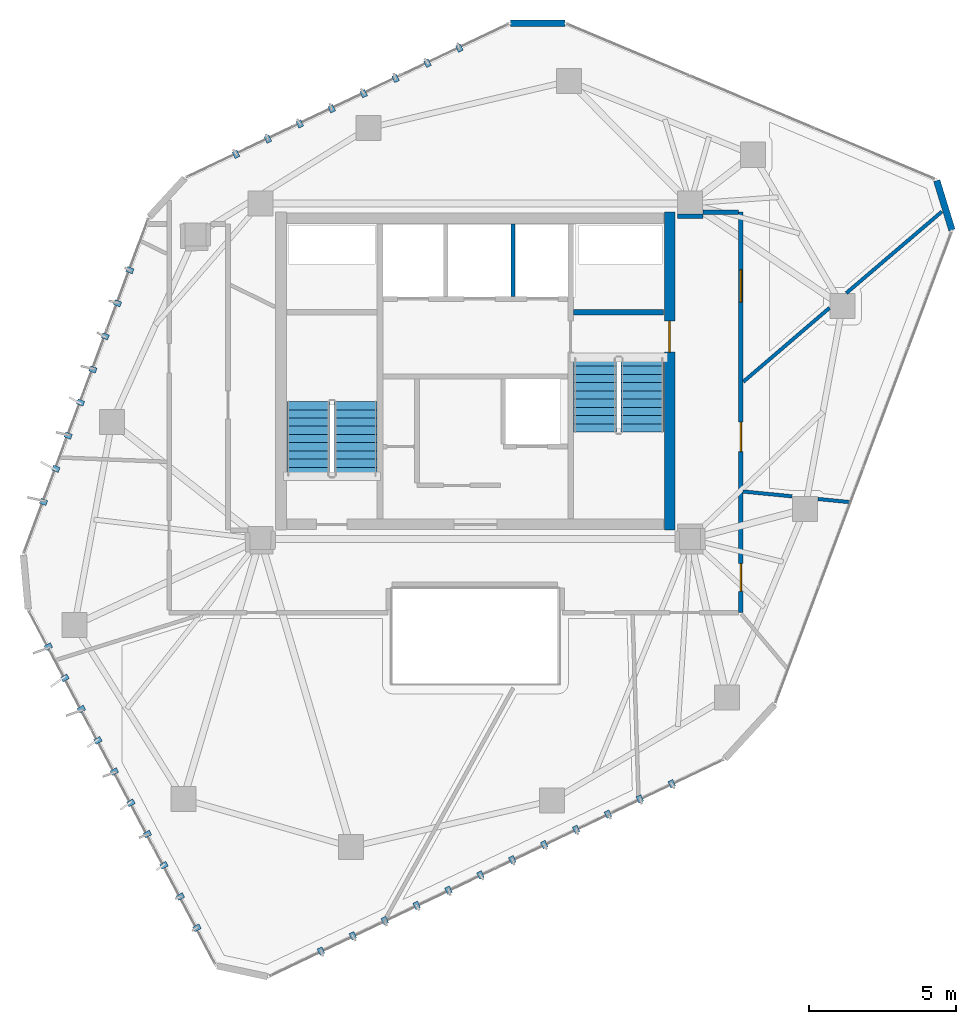
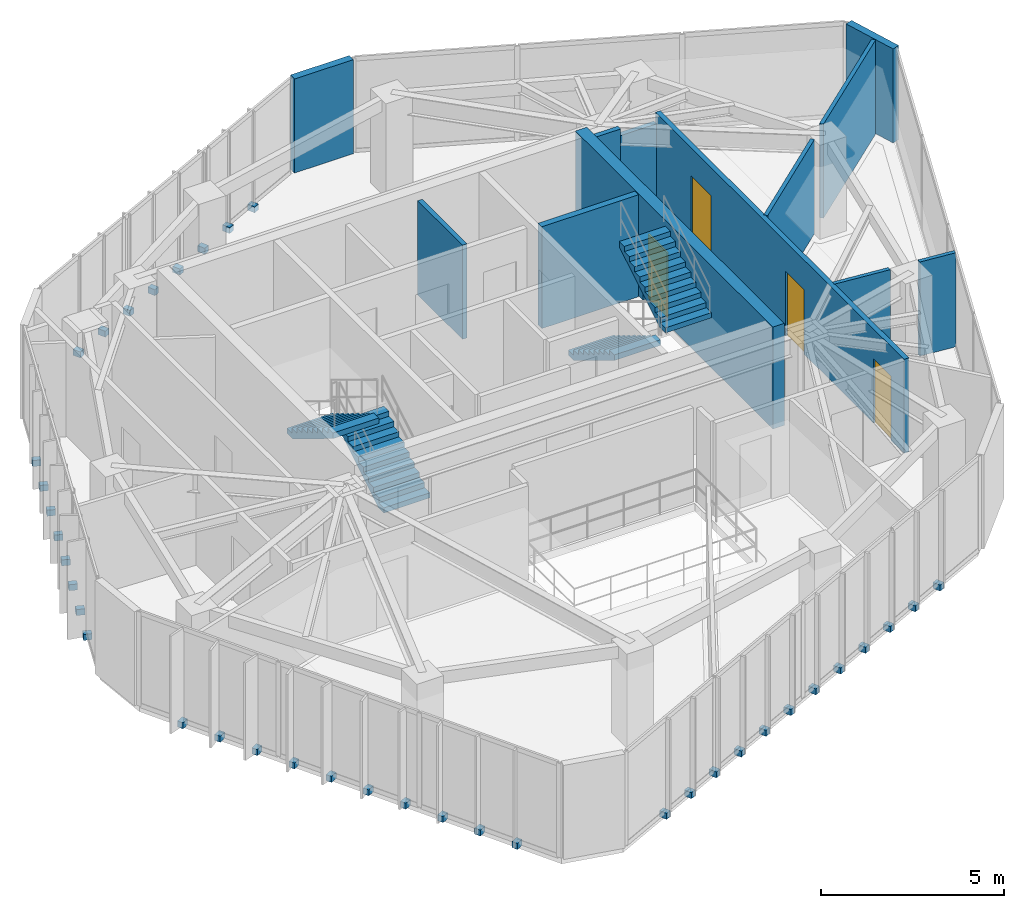
# One storey, part 18 of 20: 38 discrete accessories, 12 walls, 4 doors, 4 stair flights, 4 openings, 2 elements without a shape of their own.
"""IFC4 building model written with IfcOpenShell, lengths in metres."""

from ifc_helpers import new_model, si_unit, direction, frame, frame_2d, origin, origin_2d, place, context, subcontext, project, spatial, polyline, rectangle, outline, extrude, source, transform, mapped, material, layer, layer_set, type_object, type_shapes, element, fill, aggregate, save


model = new_model("IFC4")

# Units and contexts
model_context = context("Model", 3, precision=1e-05, world=origin(), true_north=direction((0.0, 1.0)))
body_context = subcontext(model_context, "Body", "Model", "MODEL_VIEW")
ifc_project = project(units=[si_unit("LENGTHUNIT", "METRE"), si_unit("AREAUNIT", "SQUARE_METRE"), si_unit("VOLUMEUNIT", "CUBIC_METRE"), si_unit("PLANEANGLEUNIT", "RADIAN"), si_unit("MASSUNIT", "GRAM", prefix="KILO")], contexts=[model_context])

# Site, building, storey
site_placement = place(None, origin())
site = spatial("IfcSite", under=ifc_project, at=site_placement, CompositionType="ELEMENT")
building_placement = place(site_placement, origin())
building = spatial("IfcBuilding", under=site, at=building_placement, Name="Talar Marvaseh", CompositionType="ELEMENT")
storey_placement = place(building_placement, frame((0.0, 0.0, 268.0)))
storey = spatial("IfcBuildingStorey", under=building, at=storey_placement, Name="L71", CompositionType="ELEMENT", Elevation=268.0)

# Walls
ifc_material_1 = material(Name="Precast concrete C45/55", Category="concrete")
ifc_layer_1 = layer(ifc_material_1, 0.22509765625)
ifc_layer_set_1 = layer_set([ifc_layer_1], Name="Precast concrete C45/55")
wall_type_1 = type_object("IfcWallType", Name="Chamfered Hexagonal Corner Pier Wall Z4 225", PredefinedType="SOLIDWALL", material=ifc_layer_set_1)
wall_1_placement = place(storey_placement, frame((27.194580078125, 43.015380859375, 0.0), z_axis=(0.0, 0.0, 1.0), x_axis=(0.999997786272, -0.002104151049, 0.0)))
element("IfcWall", 1, at=wall_1_placement, inside=storey, type_object=wall_type_1, Name="L71 Chamfered Corner Limestone Pier 4", PredefinedType="SOLIDWALL", context=body_context, shape_type="SweptSolid", body=[
    extrude(rectangle(XDim=1.8564453125, YDim=0.22509765625, at=frame_2d((0.92822265625, 0.0))), origin(), (0.0, 0.0, 1.0), 3.139892578125),
])
wall_2_placement = place(storey_placement, frame((41.673583984375, 37.67529296875, 0.0), z_axis=(0.0, 0.0, 1.0), x_axis=(0.293597844572, -0.955929027524, 0.0)))
element("IfcWall", 2, at=wall_2_placement, inside=storey, type_object=wall_type_1, Name="L71 Chamfered Corner Limestone Pier 5", PredefinedType="SOLIDWALL", context=body_context, shape_type="SweptSolid", body=[
    extrude(rectangle(XDim=1.7578125, YDim=0.22509765625, at=frame_2d((0.87890625, 0.0))), origin(), (0.0, 0.0, 1.0), 3.139892578125),
])

# Wall, openings, doors
ifc_material_2 = material(Name="Gypsum Board Partition Assembly")
ifc_layer_2 = layer(ifc_material_2, 0.155029296875)
ifc_layer_set_2 = layer_set([ifc_layer_2], Name="Gypsum Board Partition Assembly")
wall_type_2 = type_object("IfcWallType", Name="Corridor Fire-Rated Acoustic Partition 155", PredefinedType="PARTITIONING", material=ifc_layer_set_2)
wall_3_placement = place(storey_placement, frame((35.02001953125, 36.60009765625, 0.0), z_axis=(0.0, 0.0, 1.0), x_axis=(0.0, -1.0, 0.0)))
wall_3 = element("IfcWall", 3, at=wall_3_placement, inside=storey, type_object=wall_type_2, Name="L71 Interior Partition Wall", PredefinedType="PARTITIONING", context=body_context, shape_type="SweptSolid", body=[
    extrude(rectangle(XDim=13.60009765625, YDim=0.155029296875, at=frame_2d((6.800048828125, 0.0))), origin(), (0.0, 0.0, 1.0), 3.139892578125),
])
opening_1_placement = place(wall_3_placement, frame((11.932373046875, 0.0, 0.0)))
opening_1 = element("IfcOpeningElement", 4, at=opening_1_placement, cuts=wall_3, Name="Opening DR-WC095", PredefinedType="OPENING", context=body_context, shape_type="SweptSolid", body=[
    extrude(rectangle(XDim=0.949951171875, YDim=2.14990234375, at=frame_2d((0.47509765625, 1.074951171875))), frame((0.0, 0.08740234375, 0.0), z_axis=(0.0, -1.0, 0.0), x_axis=(1.0, 0.0, 0.0)), (0.0, 0.0, 1.0), 0.175048828125),
])
opening_2_placement = place(wall_3_placement, frame((7.131591796875, 0.0, 0.0)))
opening_2 = element("IfcOpeningElement", 5, at=opening_2_placement, cuts=wall_3, Name="Opening DR-RM100", PredefinedType="OPENING", context=body_context, shape_type="SweptSolid", body=[
    extrude(rectangle(XDim=1.0, YDim=2.14990234375, at=frame_2d((0.5, 1.074951171875))), frame((0.0, 0.08740234375, 0.0), z_axis=(0.0, -1.0, 0.0), x_axis=(1.0, 0.0, 0.0)), (0.0, 0.0, 1.0), 0.175048828125),
])
opening_3_placement = place(wall_3_placement, frame((1.955810546875, 0.0, 0.0)))
opening_3 = element("IfcOpeningElement", 6, at=opening_3_placement, cuts=wall_3, Name="Opening DR-RM110", PredefinedType="OPENING", context=body_context, shape_type="SweptSolid", body=[
    extrude(rectangle(XDim=1.10009765625, YDim=2.199951171875, at=frame_2d((0.550048828125, 1.10009765625))), frame((0.0, 0.08740234375, 0.0), z_axis=(0.0, -1.0, 0.0), x_axis=(1.0, 0.0, 0.0)), (0.0, 0.0, 1.0), 0.175048828125),
])
ifc_material_3 = material(Name="Acoustic Engineered Oak Timber", Category="wood")
door_type_1 = type_object("IfcDoorType", Name="Washroom and Service Room Door 950x2150", OperationType="NOTDEFINED", PredefinedType="DOOR", material=ifc_material_3)
shared_shape_1 = source(origin(), body_context, "Body", "SweptSolid", [
    extrude(rectangle(XDim=0.949951171875, YDim=2.14990234375, at=frame_2d((0.47509765625, 1.074951171875))), frame((0.0, 0.02490234375, 0.0), z_axis=(0.0, -1.0, 0.0), x_axis=(1.0, 0.0, 0.0)), (0.0, 0.0, 1.0), 0.050048828125),
])
type_shapes(door_type_1, [shared_shape_1])
door_1_placement = place(opening_1_placement, origin())
door_1 = element("IfcDoor", 7, at=door_1_placement, inside=storey, type_object=door_type_1, Name="L71 WC Public Washrooms Door", OperationType="SINGLE_SWING_RIGHT", OverallHeight=2.14990234375, OverallWidth=0.949951171875, PredefinedType="DOOR", context=body_context, shape_type="MappedRepresentation", body=[
    mapped(shared_shape_1, transform((0.0, 0.0, 0.0), x_axis=(1.0, 0.0, 0.0), y_axis=(0.0, 1.0, 0.0), z_axis=(0.0, 0.0, 1.0), scale=1.0)),
])
fill(opening_1, door_1)
door_type_2 = type_object("IfcDoorType", Name="Corridor Fire-Rated Gallery Door 1000x2150", OperationType="NOTDEFINED", PredefinedType="DOOR", material=ifc_material_3)
shared_shape_2 = source(origin(), body_context, "Body", "SweptSolid", [
    extrude(rectangle(XDim=1.0, YDim=2.14990234375, at=frame_2d((0.5, 1.074951171875))), frame((0.0, 0.02490234375, 0.0), z_axis=(0.0, -1.0, 0.0), x_axis=(1.0, 0.0, 0.0)), (0.0, 0.0, 1.0), 0.050048828125),
])
type_shapes(door_type_2, [shared_shape_2])
door_2_placement = place(opening_2_placement, origin())
door_2 = element("IfcDoor", 8, at=door_2_placement, inside=storey, type_object=door_type_2, Name="L71 Archival Facsimile Boutique Door", OperationType="SINGLE_SWING_LEFT", OverallHeight=2.14990234375, OverallWidth=1.0, PredefinedType="DOOR", context=body_context, shape_type="MappedRepresentation", body=[
    mapped(shared_shape_2, transform((0.0, 0.0, 0.0), x_axis=(1.0, 0.0, 0.0), y_axis=(0.0, 1.0, 0.0), z_axis=(0.0, 0.0, 1.0), scale=1.0)),
])
fill(opening_2, door_2)
door_type_3 = type_object("IfcDoorType", Name="Assembly and Reading Hall Door 1100x2200", OperationType="NOTDEFINED", PredefinedType="DOOR", material=ifc_material_3)
shared_shape_3 = source(origin(), body_context, "Body", "SweptSolid", [
    extrude(rectangle(XDim=1.10009765625, YDim=2.199951171875, at=frame_2d((0.550048828125, 1.10009765625))), frame((0.0, 0.02490234375, 0.0), z_axis=(0.0, -1.0, 0.0), x_axis=(1.0, 0.0, 0.0)), (0.0, 0.0, 1.0), 0.050048828125),
])
type_shapes(door_type_3, [shared_shape_3])
door_3_placement = place(opening_3_placement, origin())
door_3 = element("IfcDoor", 9, at=door_3_placement, inside=storey, type_object=door_type_3, Name="L71 Gallery Security Control Room Door", OperationType="SINGLE_SWING_RIGHT", OverallHeight=2.199951171875, OverallWidth=1.10009765625, PredefinedType="DOOR", context=body_context, shape_type="MappedRepresentation", body=[
    mapped(shared_shape_3, transform((0.0, 0.0, 0.0), x_axis=(1.0, 0.0, 0.0), y_axis=(0.0, 1.0, 0.0), z_axis=(0.0, 0.0, 1.0), scale=1.0)),
])
fill(opening_3, door_3)

# Walls
wall_4_placement = place(storey_placement, frame((32.8701171875, 36.464599609375, 0.0), z_axis=(0.0, 0.0, 1.0), x_axis=(0.999986873463, -0.005123758532, 0.0)))
element("IfcWall", 10, at=wall_4_placement, inside=storey, type_object=wall_type_2, Name="L71 Interior Partition Wall", PredefinedType="PARTITIONING", context=body_context, shape_type="SweptSolid", body=[
    extrude(rectangle(XDim=0.857666015625, YDim=0.155029296875, at=frame_2d((0.4287109375, 0.0))), origin(), (0.0, 0.0, 1.0), 3.139892578125),
])
wall_5_placement = place(storey_placement, frame((33.739990234375, 36.60009765625, 0.0), z_axis=(0.0, 0.0, 1.0), x_axis=(1.0, 0.0, 0.0)))
element("IfcWall", 11, at=wall_5_placement, inside=storey, type_object=wall_type_2, Name="L71 Interior Partition Wall", PredefinedType="PARTITIONING", context=body_context, shape_type="SweptSolid", body=[
    extrude(rectangle(XDim=1.196533203125, YDim=0.155029296875, at=frame_2d((0.59814453125, 0.0))), origin(), (0.0, 0.0, 1.0), 2.802001953125),
])
ifc_layer_3 = layer(ifc_material_2, 0.1201171875)
ifc_layer_set_3 = layer_set([ifc_layer_3], Name="Gypsum Board Partition Assembly")
wall_type_3 = type_object("IfcWallType", Name="Demountable Studio Room Partition 120", PredefinedType="PARTITIONING", material=ifc_layer_set_3)
wall_6_placement = place(storey_placement, frame((35.084716796875, 27.11376953125, 0.0), z_axis=(0.0, 0.0, 1.0), x_axis=(0.995253071633, -0.097320724434, 0.0)))
element("IfcWall", 12, at=wall_6_placement, inside=storey, type_object=wall_type_3, Name="L71 Interior Partition Wall", PredefinedType="PARTITIONING", context=body_context, shape_type="SweptSolid", body=[
    extrude(rectangle(XDim=1.683349609375, YDim=0.1201171875, at=frame_2d((0.841796875, 0.0))), origin(), (0.0, 0.0, 1.0), 3.139892578125),
])
wall_7_placement = place(storey_placement, frame((37.639892578125, 26.860107421875, 0.0), z_axis=(0.0, 0.0, 1.0), x_axis=(0.995021586339, -0.099659634354, 0.0)))
element("IfcWall", 13, at=wall_7_placement, inside=storey, type_object=wall_type_3, Name="L71 Interior Partition Wall", PredefinedType="PARTITIONING", context=body_context, shape_type="SweptSolid", body=[
    extrude(rectangle(XDim=1.085205078125, YDim=0.1201171875, at=frame_2d((0.54248046875, 0.0))), origin(), (0.0, 0.0, 1.0), 3.139892578125),
])
wall_8_placement = place(storey_placement, frame((35.103515625, 30.841552734375, 0.0), z_axis=(0.0, 0.0, 1.0), x_axis=(0.759243189264, 0.650807021748, 0.0)))
element("IfcWall", 14, at=wall_8_placement, inside=storey, type_object=wall_type_3, Name="L71 Interior Partition Wall", PredefinedType="PARTITIONING", context=body_context, shape_type="SweptSolid", body=[
    extrude(rectangle(XDim=3.8544921875, YDim=0.1201171875, at=frame_2d((1.92724609375, 0.0))), origin(), (0.0, 0.0, 1.0), 3.139892578125),
])
wall_9_placement = place(storey_placement, frame((38.60009765625, 33.85009765625, 0.0), z_axis=(0.0, 0.0, 1.0), x_axis=(0.760764988041, 0.649027451631, 0.0)))
element("IfcWall", 15, at=wall_9_placement, inside=storey, type_object=wall_type_3, Name="L71 Interior Partition Wall", PredefinedType="PARTITIONING", context=body_context, shape_type="SweptSolid", body=[
    extrude(rectangle(XDim=4.26708984375, YDim=0.1201171875, at=frame_2d((2.133544921875, 0.0))), origin(), (0.0, 0.0, 1.0), 3.139892578125),
])
ifc_layer_4 = layer(ifc_material_1, 0.14501953125)
ifc_layer_set_4 = layer_set([ifc_layer_4], Name="Precast concrete C45/55")
wall_type_4 = type_object("IfcWallType", Name="Fire-Rated Lift Divider Wall 145", PredefinedType="SOLIDWALL", material=ifc_layer_set_4)
wall_10_placement = place(storey_placement, frame((27.280029296875, 33.743408203125, 0.0), z_axis=(0.0, 0.0, 1.0), x_axis=(0.0, 1.0, 0.0)))
element("IfcWall", 16, at=wall_10_placement, inside=storey, type_object=wall_type_4, Name="L71 FFL-2/SVL-1 Divider", PredefinedType="SOLIDWALL", context=body_context, shape_type="SweptSolid", body=[
    extrude(rectangle(XDim=2.45654296875, YDim=0.14501953125, at=frame_2d((1.228271484375, 0.0))), origin(), (0.0, 0.0, 1.0), 3.139892578125),
])
ifc_material_4 = material(Name="Concrete C50/60", Category="concrete")
ifc_layer_5 = layer(ifc_material_4, 0.199951171875)
ifc_layer_set_5 = layer_set([ifc_layer_5], Name="Concrete C50/60")
wall_type_5 = type_object("IfcWallType", Name="Stair Shaft Structural Concrete Shear Wall 200", PredefinedType="SHEAR", material=ifc_layer_set_5)
wall_11_placement = place(storey_placement, frame((29.340087890625, 33.199951171875, 0.0), z_axis=(0.0, 0.0, 1.0), x_axis=(1.0, 0.0, 0.0)))
element("IfcWall", 17, at=wall_11_placement, inside=storey, type_object=wall_type_5, Name="L71 Stair ST-2 North Shear Wall", PredefinedType="SHEAR", context=body_context, shape_type="SweptSolid", body=[
    extrude(rectangle(XDim=3.059814453125, YDim=0.199951171875, at=frame_2d((1.52978515625, 0.0))), origin(), (0.0, 0.0, 1.0), 3.39990234375),
])

# Wall, opening, door
ifc_layer_6 = layer(ifc_material_4, 0.360107421875)
ifc_layer_set_6 = layer_set([ifc_layer_6], Name="Concrete C50/60")
wall_type_6 = type_object("IfcWallType", Name="Upper Core Reinforced Concrete Shear Wall 360", PredefinedType="SHEAR", material=ifc_layer_set_6)
wall_12_placement = place(storey_placement, frame((32.60009765625, 36.60009765625, 0.0), z_axis=(0.0, 0.0, 1.0), x_axis=(0.0, -1.0, 0.0)))
wall_12 = element("IfcWall", 18, at=wall_12_placement, inside=storey, type_object=wall_type_6, Name="L71 East Core Shear Wall", PredefinedType="SHEAR", context=body_context, shape_type="SweptSolid", body=[
    extrude(rectangle(XDim=10.800048828125, YDim=0.360107421875, at=frame_2d((5.39990234375, 0.0))), origin(), (0.0, 0.0, 1.0), 3.39990234375),
])
opening_4_placement = place(wall_12_placement, frame((3.699951171875, 0.0, 0.0)))
opening_4 = element("IfcOpeningElement", 19, at=opening_4_placement, cuts=wall_12, Name="Opening DR-ST105", PredefinedType="OPENING", context=body_context, shape_type="SweptSolid", body=[
    extrude(rectangle(XDim=1.050048828125, YDim=2.14990234375, at=frame_2d((0.52490234375, 1.074951171875))), frame((0.0, 0.18994140625, 0.0), z_axis=(0.0, -1.0, 0.0), x_axis=(1.0, 0.0, 0.0)), (0.0, 0.0, 1.0), 0.380126953125),
])
ifc_material_5 = material(Name="Fire-Rated Steel Door Leaf", Category="steel")
door_type_4 = type_object("IfcDoorType", Name="Protected Exit Stair Fire Door 1050x2150", OperationType="NOTDEFINED", PredefinedType="DOOR", material=ifc_material_5)
shared_shape_4 = source(origin(), body_context, "Body", "SweptSolid", [
    extrude(rectangle(XDim=1.050048828125, YDim=2.14990234375, at=frame_2d((0.52490234375, 1.074951171875))), frame((0.0, 0.02490234375, 0.0), z_axis=(0.0, -1.0, 0.0), x_axis=(1.0, 0.0, 0.0)), (0.0, 0.0, 1.0), 0.050048828125),
])
type_shapes(door_type_4, [shared_shape_4])
door_4_placement = place(opening_4_placement, origin())
door_4 = element("IfcDoor", 20, at=door_4_placement, inside=storey, type_object=door_type_4, Name="L71 Stair ST-2 Corridor Exit Door", OperationType="SINGLE_SWING_LEFT", OverallHeight=2.14990234375, OverallWidth=1.050048828125, PredefinedType="DOOR", context=body_context, shape_type="MappedRepresentation", body=[
    mapped(shared_shape_4, transform((0.0, 0.0, 0.0), x_axis=(1.0, 0.0, 0.0), y_axis=(0.0, 1.0, 0.0), z_axis=(0.0, 0.0, 1.0), scale=1.0)),
])
fill(opening_4, door_4)

# Stair, stair flights
ifc_material_6 = material(Name="Concrete C40/50", Category="concrete")
stair_type = type_object("IfcStairType", Name="Reinforced Concrete High-Rise Exit Stair Type C", PredefinedType="HALF_TURN_STAIR", material=ifc_material_6)
stair_1_placement = place(storey_placement, origin())
stair_1 = element("IfcStair", 21, at=stair_1_placement, inside=storey, type_object=stair_type, Name="L71 Tower West Core Exit Stair", PredefinedType="HALF_TURN_STAIR")
ifc_layer_7 = layer(ifc_material_6, 0.159912109375)
ifc_layer_set_7 = layer_set([ifc_layer_7], Name="Concrete C40/50")
stair_flight_type = type_object("IfcStairFlightType", Name="Reinforced Concrete Straight Stair Flight 160", PredefinedType="STRAIGHT", material=ifc_layer_set_7)
stair_flight_1_placement = place(storey_placement, frame((21.93505859375, 27.64990234375, 0.0), z_axis=(0.0, 0.0, 1.0), x_axis=(0.0, 1.0, 0.0)))
stair_flight_1 = element("IfcStairFlight", 22, at=stair_flight_1_placement, type_object=stair_flight_type, Name="ST-1 flight 1", NumberOfRisers=10, NumberOfTreads=9, PredefinedType="STRAIGHT", RiserHeight=0.17, TreadLength=0.28, context=body_context, shape_type="SweptSolid", body=[
    extrude(outline(polyline([(0.0, 0.0), (0.0, 0.169921875), (0.280029296875, 0.169921875), (0.280029296875, 0.340087890625), (0.56005859375, 0.340087890625), (0.56005859375, 0.510009765625), (0.840087890625, 0.510009765625), (0.840087890625, 0.679931640625), (1.1201171875, 0.679931640625), (1.1201171875, 0.85009765625), (1.39990234375, 0.85009765625), (1.39990234375, 1.02001953125), (1.679931640625, 1.02001953125), (1.679931640625, 1.18994140625), (1.9599609375, 1.18994140625), (1.9599609375, 1.360107421875), (2.239990234375, 1.360107421875), (2.239990234375, 1.530029296875), (2.52001953125, 1.530029296875), (2.52001953125, 1.699951171875), (2.52001953125, 1.343017578125), (0.30810546875, 0.0), (0.0, 0.0)])), frame((0.0, 0.72509765625, 0.0), z_axis=(0.0, -1.0, 0.0), x_axis=(1.0, 0.0, 0.0)), (0.0, 0.0, 1.0), 1.449951171875),
])
stair_flight_2_placement = place(storey_placement, frame((20.324951171875, 30.169921875, 1.699951171875), z_axis=(0.0, 0.0, 1.0), x_axis=(0.0, -1.0, 0.0)))
stair_flight_2 = element("IfcStairFlight", 23, at=stair_flight_2_placement, type_object=stair_flight_type, Name="ST-1 flight 2", NumberOfRisers=10, NumberOfTreads=9, PredefinedType="STRAIGHT", RiserHeight=0.17, TreadLength=0.28, context=body_context, shape_type="SweptSolid", body=[
    extrude(outline(polyline([(0.0, 0.0), (0.0, 0.169921875), (0.280029296875, 0.169921875), (0.280029296875, 0.340087890625), (0.56005859375, 0.340087890625), (0.56005859375, 0.510009765625), (0.840087890625, 0.510009765625), (0.840087890625, 0.679931640625), (1.1201171875, 0.679931640625), (1.1201171875, 0.85009765625), (1.39990234375, 0.85009765625), (1.39990234375, 1.02001953125), (1.679931640625, 1.02001953125), (1.679931640625, 1.18994140625), (1.9599609375, 1.18994140625), (1.9599609375, 1.360107421875), (2.239990234375, 1.360107421875), (2.239990234375, 1.530029296875), (2.52001953125, 1.530029296875), (2.52001953125, 1.699951171875), (2.52001953125, 1.343017578125), (0.30810546875, 0.0), (0.0, 0.0)])), frame((0.0, 0.72509765625, 0.0), z_axis=(0.0, -1.0, 0.0), x_axis=(1.0, 0.0, 0.0)), (0.0, 0.0, 1.0), 1.449951171875),
])
aggregate(stair_1, [stair_flight_1, stair_flight_2])

stair_2_placement = place(storey_placement, origin())
stair_2 = element("IfcStair", 24, at=stair_2_placement, inside=storey, type_object=stair_type, Name="L71 Tower East Core Exit Stair", PredefinedType="HALF_TURN_STAIR")
stair_flight_3_placement = place(storey_placement, frame((30.06494140625, 31.64990234375, 0.0), z_axis=(0.0, 0.0, 1.0), x_axis=(0.0, -1.0, 0.0)))
stair_flight_3 = element("IfcStairFlight", 25, at=stair_flight_3_placement, type_object=stair_flight_type, Name="ST-2 flight 1", NumberOfRisers=10, NumberOfTreads=9, PredefinedType="STRAIGHT", RiserHeight=0.17, TreadLength=0.28, context=body_context, shape_type="SweptSolid", body=[
    extrude(outline(polyline([(0.0, 0.0), (0.0, 0.169921875), (0.280029296875, 0.169921875), (0.280029296875, 0.340087890625), (0.56005859375, 0.340087890625), (0.56005859375, 0.510009765625), (0.840087890625, 0.510009765625), (0.840087890625, 0.679931640625), (1.1201171875, 0.679931640625), (1.1201171875, 0.85009765625), (1.39990234375, 0.85009765625), (1.39990234375, 1.02001953125), (1.679931640625, 1.02001953125), (1.679931640625, 1.18994140625), (1.9599609375, 1.18994140625), (1.9599609375, 1.360107421875), (2.239990234375, 1.360107421875), (2.239990234375, 1.530029296875), (2.52001953125, 1.530029296875), (2.52001953125, 1.699951171875), (2.52001953125, 1.343017578125), (0.30810546875, 0.0), (0.0, 0.0)])), frame((0.0, 0.72509765625, 0.0), z_axis=(0.0, -1.0, 0.0), x_axis=(1.0, 0.0, 0.0)), (0.0, 0.0, 1.0), 1.449951171875),
])
stair_flight_4_placement = place(storey_placement, frame((31.675048828125, 29.1298828125, 1.699951171875), z_axis=(0.0, 0.0, 1.0), x_axis=(0.0, 1.0, 0.0)))
stair_flight_4 = element("IfcStairFlight", 26, at=stair_flight_4_placement, type_object=stair_flight_type, Name="ST-2 flight 2", NumberOfRisers=10, NumberOfTreads=9, PredefinedType="STRAIGHT", RiserHeight=0.17, TreadLength=0.28, context=body_context, shape_type="SweptSolid", body=[
    extrude(outline(polyline([(0.0, 0.0), (0.0, 0.169921875), (0.280029296875, 0.169921875), (0.280029296875, 0.340087890625), (0.56005859375, 0.340087890625), (0.56005859375, 0.510009765625), (0.840087890625, 0.510009765625), (0.840087890625, 0.679931640625), (1.1201171875, 0.679931640625), (1.1201171875, 0.85009765625), (1.39990234375, 0.85009765625), (1.39990234375, 1.02001953125), (1.679931640625, 1.02001953125), (1.679931640625, 1.18994140625), (1.9599609375, 1.18994140625), (1.9599609375, 1.360107421875), (2.239990234375, 1.360107421875), (2.239990234375, 1.530029296875), (2.52001953125, 1.530029296875), (2.52001953125, 1.699951171875), (2.52001953125, 1.343017578125), (0.30810546875, 0.0), (0.0, 0.0)])), frame((0.0, 0.72509765625, 0.0), z_axis=(0.0, -1.0, 0.0), x_axis=(1.0, 0.0, 0.0)), (0.0, 0.0, 1.0), 1.449951171875),
])
aggregate(stair_2, [stair_flight_3, stair_flight_4])

# Discrete accessories
ifc_material_7 = material(Name="Stainless Steel Grade 316", Category="steel")
discrete_accessory_type = type_object("IfcDiscreteAccessoryType", Name="Stainless Slab-Edge Fin Mounting Bracket", PredefinedType="BRACKET", material=ifc_material_7)
shared_shape_5 = source(origin(), body_context, "Body", "SweptSolid", [
    extrude(rectangle(XDim=0.239990234375, YDim=0.179931640625, at=origin_2d()), origin(), (0.0, 0.0, 1.0), 0.199951171875),
])
type_shapes(discrete_accessory_type, [shared_shape_5])
for number, where, z_axis, x_axis, name in (
    (27, (16.544677734375, 12.29248046875, -0.18017578125), (0.0, 0.0, 1.0), (-0.88417363932, -0.467158405181, 0.0), "L71 Vertical Fin Slab-Edge Bracket"),
    (28, (15.984130859375, 13.353759765625, -0.18017578125), (0.0, 0.0, 1.0), (-0.88417363932, -0.467158405181, 0.0), "L71 Vertical Fin Slab-Edge Bracket"),
    (29, (15.423583984375, 14.414794921875, -0.18017578125), (0.0, 0.0, 1.0), (-0.88417363932, -0.467158405181, 0.0), "L71 Vertical Fin Slab-Edge Bracket"),
    (30, (14.863037109375, 15.4755859375, -0.18017578125), (0.0, 0.0, 1.0), (-0.88417363932, -0.467158405181, 0.0), "L71 Vertical Fin Slab-Edge Bracket"),
    (31, (14.302490234375, 16.536865234375, -0.18017578125), (0.0, 0.0, 1.0), (-0.88417363932, -0.467158405181, 0.0), "L71 Vertical Fin Slab-Edge Bracket"),
    (32, (13.741943359375, 17.597900390625, -0.18017578125), (0.0, 0.0, 1.0), (-0.88417363932, -0.467158405181, 0.0), "L71 Vertical Fin Slab-Edge Bracket"),
    (33, (13.181396484375, 18.658935546875, -0.18017578125), (0.0, 0.0, 1.0), (-0.88417363932, -0.467158405181, 0.0), "L71 Vertical Fin Slab-Edge Bracket"),
    (34, (12.62109375, 19.719970703125, -0.18017578125), (0.0, 0.0, 1.0), (-0.88417363932, -0.467158405181, 0.0), "L71 Vertical Fin Slab-Edge Bracket"),
    (35, (12.060546875, 20.781005859375, -0.18017578125), (0.0, 0.0, 1.0), (-0.88417363932, -0.467158405181, 0.0), "L71 Vertical Fin Slab-Edge Bracket"),
    (36, (11.5, 21.842041015625, -0.18017578125), (0.0, 0.0, 1.0), (-0.88417363932, -0.467158405181, 0.0), "L71 Vertical Fin Slab-Edge Bracket"),
    (37, (11.334228515625, 26.76025390625, -0.18017578125), (0.0, 0.0, 1.0), (-0.937099349122, 0.34906275922, 0.0), "L71 Vertical Fin Slab-Edge Bracket"),
    (38, (11.753173828125, 27.884765625, -0.18017578125), (0.0, 0.0, 1.0), (-0.937099349122, 0.34906275922, 0.0), "L71 Vertical Fin Slab-Edge Bracket"),
    (39, (12.172119140625, 29.00927734375, -0.18017578125), (0.0, 0.0, 1.0), (-0.937099349122, 0.34906275922, 0.0), "L71 Vertical Fin Slab-Edge Bracket"),
    (40, (12.591064453125, 30.1337890625, -0.18017578125), (0.0, 0.0, 1.0), (-0.937099349122, 0.34906275922, 0.0), "L71 Vertical Fin Slab-Edge Bracket"),
    (41, (13.010009765625, 31.25830078125, -0.18017578125), (0.0, 0.0, 1.0), (-0.937099349122, 0.34906275922, 0.0), "L71 Vertical Fin Slab-Edge Bracket"),
    (42, (13.4287109375, 32.3828125, -0.18017578125), (0.0, 0.0, 1.0), (-0.937099349122, 0.34906275922, 0.0), "L71 Vertical Fin Slab-Edge Bracket"),
    (43, (13.84765625, 33.507080078125, -0.18017578125), (0.0, 0.0, 1.0), (-0.937099349122, 0.34906275922, 0.0), "L71 Vertical Fin Slab-Edge Bracket"),
    (44, (14.2666015625, 34.631591796875, -0.18017578125), (0.0, 0.0, 1.0), (-0.937099349122, 0.34906275922, 0.0), "L71 Vertical Fin Slab-Edge Bracket"),
    (45, (17.872802734375, 38.567138671875, -0.18017578125), (0.0, 0.0, 1.0), (-0.429408059837, 0.903110579136, 0.0), "L71 Vertical Fin Slab-Edge Bracket"),
    (46, (18.95654296875, 39.08251953125, -0.18017578125), (0.0, 0.0, 1.0), (-0.429408059837, 0.903110579136, 0.0), "L71 Vertical Fin Slab-Edge Bracket"),
    (47, (20.040283203125, 39.597900390625, -0.18017578125), (0.0, 0.0, 1.0), (-0.429408059837, 0.903110579136, 0.0), "L71 Vertical Fin Slab-Edge Bracket"),
    (48, (21.123779296875, 40.113037109375, -0.18017578125), (0.0, 0.0, 1.0), (-0.429408059837, 0.903110579136, 0.0), "L71 Vertical Fin Slab-Edge Bracket"),
    (49, (22.20751953125, 40.62841796875, -0.18017578125), (0.0, 0.0, 1.0), (-0.429408059837, 0.903110579136, 0.0), "L71 Vertical Fin Slab-Edge Bracket"),
    (50, (23.291259765625, 41.143798828125, -0.18017578125), (0.0, 0.0, 1.0), (-0.429408059837, 0.903110579136, 0.0), "L71 Vertical Fin Slab-Edge Bracket"),
    (51, (24.375, 41.6591796875, -0.18017578125), (0.0, 0.0, 1.0), (-0.429408059837, 0.903110579136, 0.0), "L71 Vertical Fin Slab-Edge Bracket"),
    (52, (25.458740234375, 42.17431640625, -0.18017578125), (0.0, 0.0, 1.0), (-0.429408059837, 0.903110579136, 0.0), "L71 Vertical Fin Slab-Edge Bracket"),
    (53, (32.671875, 17.188232421875, -0.18017578125), (0.0, 0.0, 1.0), (0.4306686211, -0.902510132242, 0.0), "L71 Vertical Fin Slab-Edge Bracket"),
    (54, (31.5888671875, 16.67138671875, -0.18017578125), (0.0, 0.0, 1.0), (0.4306686211, -0.902510132242, 0.0), "L71 Vertical Fin Slab-Edge Bracket"),
    (55, (30.505615234375, 16.15478515625, -0.18017578125), (0.0, 0.0, 1.0), (0.4306686211, -0.902510132242, 0.0), "L71 Vertical Fin Slab-Edge Bracket"),
    (56, (29.422607421875, 15.637939453125, -0.18017578125), (0.0, 0.0, 1.0), (0.4306686211, -0.902510132242, 0.0), "L71 Vertical Fin Slab-Edge Bracket"),
    (57, (28.339599609375, 15.12109375, -0.18017578125), (0.0, 0.0, 1.0), (0.4306686211, -0.902510132242, 0.0), "L71 Vertical Fin Slab-Edge Bracket"),
    (58, (27.256591796875, 14.6044921875, -0.18017578125), (0.0, 0.0, 1.0), (0.4306686211, -0.902510132242, 0.0), "L71 Vertical Fin Slab-Edge Bracket"),
    (59, (26.173583984375, 14.087646484375, -0.18017578125), (0.0, 0.0, 1.0), (0.4306686211, -0.902510132242, 0.0), "L71 Vertical Fin Slab-Edge Bracket"),
    (60, (25.090576171875, 13.57080078125, -0.18017578125), (0.0, 0.0, 1.0), (0.4306686211, -0.902510132242, 0.0), "L71 Vertical Fin Slab-Edge Bracket"),
    (61, (24.007568359375, 13.053955078125, -0.18017578125), (0.0, 0.0, 1.0), (0.4306686211, -0.902510132242, 0.0), "L71 Vertical Fin Slab-Edge Bracket"),
    (62, (22.924560546875, 12.537109375, -0.18017578125), (0.0, 0.0, 1.0), (0.4306686211, -0.902510132242, 0.0), "L71 Vertical Fin Slab-Edge Bracket"),
    (63, (21.841552734375, 12.0205078125, -0.18017578125), (0.0, 0.0, 1.0), (0.4306686211, -0.902510132242, 0.0), "L71 Vertical Fin Slab-Edge Bracket"),
    (64, (20.758544921875, 11.503662109375, -0.18017578125), (0.0, 0.0, 1.0), (0.4306686211, -0.902510132242, 0.0), "L71 Vertical Fin Slab-Edge Bracket"),
):
    element("IfcDiscreteAccessory", number, at=place(storey_placement, frame(where, z_axis=z_axis, x_axis=x_axis)), inside=storey, type_object=discrete_accessory_type, Name=name, PredefinedType="BRACKET", context=body_context, shape_type="MappedRepresentation", body=[
        mapped(shared_shape_5, transform((0.0, 0.0, 0.0), x_axis=(1.0, 0.0, 0.0), y_axis=(0.0, 1.0, 0.0), z_axis=(0.0, 0.0, 1.0), scale=1.0)),
    ])

save(model, "model.ifc")
